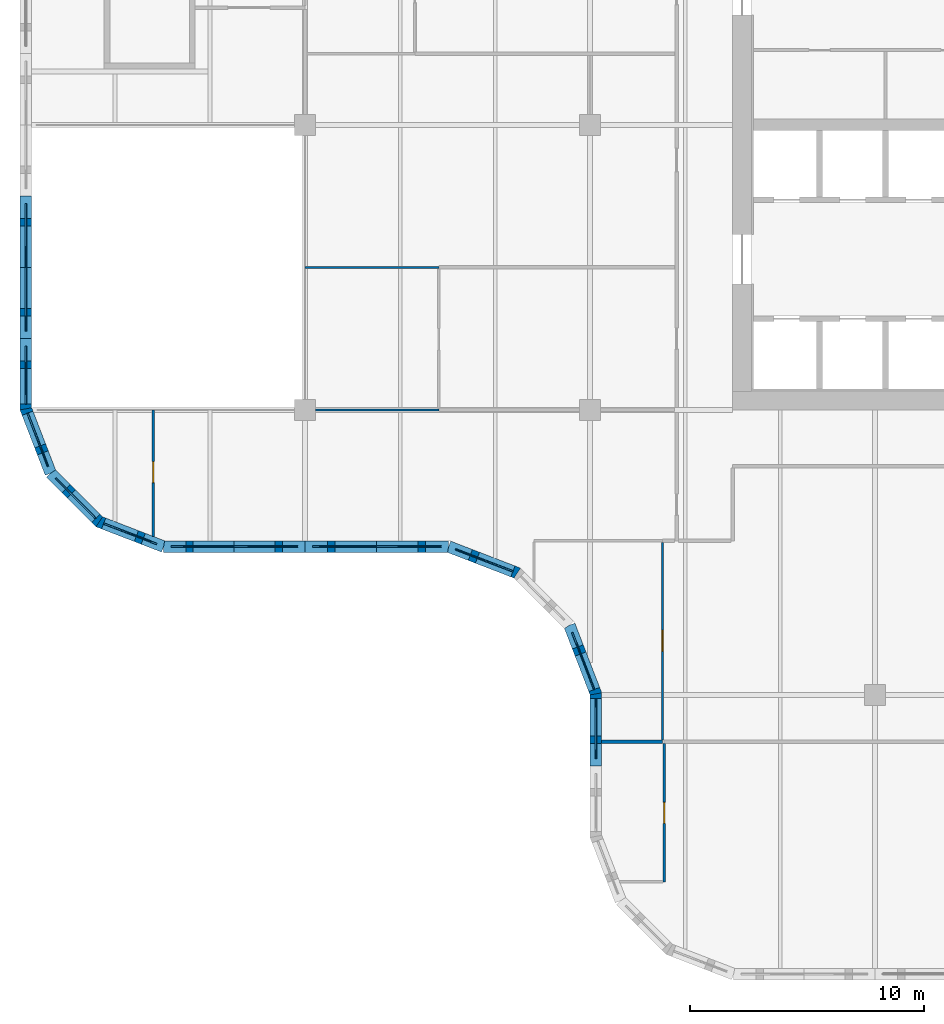
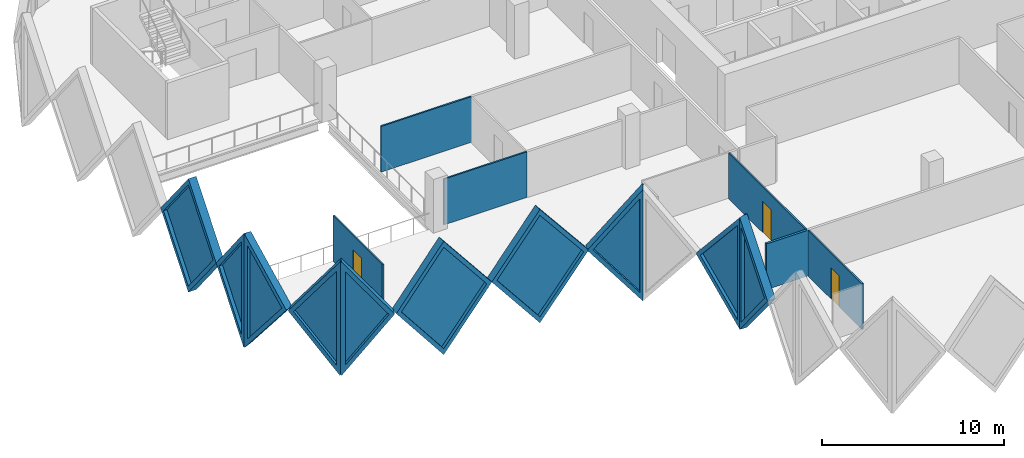
# One storey, part 4 of 19: 16 walls, 10 plates, 3 doors, 13 openings.
"""IFC4 building model written with IfcOpenShell, lengths in metres."""

from ifc_helpers import new_model, si_unit, direction, frame, frame_2d, origin, place, context, subcontext, project, spatial, polyline, rectangle, outline, extrude, faceted_brep, source, transform, mapped, material, layer, layer_set, type_object, element, fill, save


model = new_model("IFC4")

# Units and contexts
model_context = context("Model", 3, precision=1e-05, world=origin(), true_north=direction((0.0, 1.0)))
body_context = subcontext(model_context, "Body", "Model", "MODEL_VIEW")
ifc_project = project(units=[si_unit("LENGTHUNIT", "METRE"), si_unit("AREAUNIT", "SQUARE_METRE"), si_unit("VOLUMEUNIT", "CUBIC_METRE"), si_unit("PLANEANGLEUNIT", "RADIAN"), si_unit("MASSUNIT", "GRAM", prefix="KILO")], contexts=[model_context])

# Site, building, storey
site_placement = place(None, origin())
site = spatial("IfcSite", under=ifc_project, at=site_placement, CompositionType="ELEMENT")
building_placement = place(site_placement, origin())
building = spatial("IfcBuilding", under=site, at=building_placement, Name="Tessera Gate Towers", CompositionType="ELEMENT")
storey_placement = place(building_placement, frame((0.0, 0.0, 87.60009765625)))
storey = spatial("IfcBuildingStorey", under=building, at=storey_placement, Name="L21", CompositionType="ELEMENT", Elevation=87.60009765625)

# Wall, opening, door
ifc_material_1 = material(Name="Glass", Category="glass")
ifc_layer_1 = layer(ifc_material_1, 0.10009765625)
ifc_layer_set_1 = layer_set([ifc_layer_1], Name="GLAZED PARTITION 100")
wall_type_1 = type_object("IfcWallType", Name="GLAZED PARTITION 100", PredefinedType="PARTITIONING", material=ifc_layer_set_1)
wall_1_placement = place(storey_placement, frame((27.574951171875, 4.199951171875, 0.0), z_axis=(0.0, 0.0, 1.0), x_axis=(0.0, 1.0, 0.0)))
wall_1 = element("IfcWall", 1, at=wall_1_placement, inside=storey, type_object=wall_type_1, Name="T1-L21-PW-004", PredefinedType="PARTITIONING", context=body_context, shape_type="SweptSolid", body=[
    extrude(rectangle(XDim=5.924072265625, YDim=0.10009765625, at=frame_2d((2.9619140625, 0.0))), origin(), (0.0, 0.0, 1.0), 3.06689453125),
])
shared_shape_1 = source(origin(), body_context, "Body", "SweptSolid", [
    extrude(rectangle(XDim=0.89990234375, YDim=2.10009765625, at=frame_2d((0.449951171875, 1.050048828125))), frame((0.0, 0.06005859375, 0.0), z_axis=(0.0, -1.0, 0.0), x_axis=(1.0, 0.0, 0.0)), (0.0, 0.0, 1.0), 0.1201171875),
])
opening_1_placement = place(wall_1_placement, frame((2.5, 0.0, 0.0)))
opening_1 = element("IfcOpeningElement", 2, at=opening_1_placement, cuts=wall_1, Name="Opening D690-A07-07", PredefinedType="OPENING", context=body_context, shape_type="MappedRepresentation", body=[
    mapped(shared_shape_1, transform((0.0, 0.0, 0.0), scale=1.0)),
])
ifc_material_2 = material(Name="Glass in aluminium frame", Category="aluminium")
door_type = type_object("IfcDoorType", Name="GLAZED DOOR 900 NOT RATED", OperationType="NOTDEFINED", PredefinedType="DOOR", material=ifc_material_2)
shared_shape_2 = source(origin(), body_context, "Body", "SweptSolid", [
    extrude(rectangle(XDim=0.89990234375, YDim=2.10009765625, at=frame_2d((0.449951171875, 1.050048828125))), frame((0.0, 0.02490234375, 0.0), z_axis=(0.0, -1.0, 0.0), x_axis=(1.0, 0.0, 0.0)), (0.0, 0.0, 1.0), 0.050048828125),
])
door_1_placement = place(opening_1_placement, origin())
door_1 = element("IfcDoor", 3, at=door_1_placement, inside=storey, type_object=door_type, Name="T1-L21-PD-017", OperationType="SINGLE_SWING_LEFT", OverallHeight=2.10009765625, OverallWidth=0.89990234375, PredefinedType="DOOR", context=body_context, shape_type="MappedRepresentation", body=[
    mapped(shared_shape_2, transform((0.0, 0.0, 0.0), scale=1.0)),
])
fill(opening_1, door_1)

wall_2_placement = place(storey_placement, frame((27.5, 10.27587890625, 0.0), z_axis=(0.0, 0.0, 1.0), x_axis=(0.0, 1.0, 0.0)))
wall_2 = element("IfcWall", 4, at=wall_2_placement, inside=storey, type_object=wall_type_1, Name="T1-L21-PW-010", PredefinedType="PARTITIONING", context=body_context, shape_type="SweptSolid", body=[
    extrude(rectangle(XDim=8.4482421875, YDim=0.10009765625, at=frame_2d((4.22412109375, 0.0))), origin(), (0.0, 0.0, 1.0), 3.06689453125),
])
opening_2_placement = place(wall_2_placement, frame((3.800048828125, 0.0, 0.0)))
opening_2 = element("IfcOpeningElement", 5, at=opening_2_placement, cuts=wall_2, Name="Opening D690-A07-08", PredefinedType="OPENING", context=body_context, shape_type="MappedRepresentation", body=[
    mapped(shared_shape_1, transform((0.0, 0.0, 0.0), scale=1.0)),
])
door_2_placement = place(opening_2_placement, origin())
door_2 = element("IfcDoor", 6, at=door_2_placement, inside=storey, type_object=door_type, Name="T1-L21-PD-019", OperationType="SINGLE_SWING_LEFT", OverallHeight=2.10009765625, OverallWidth=0.89990234375, PredefinedType="DOOR", context=body_context, shape_type="MappedRepresentation", body=[
    mapped(shared_shape_2, transform((0.0, 0.0, 0.0), scale=1.0)),
])
fill(opening_2, door_2)

wall_3_placement = place(storey_placement, frame((5.699951171875, 18.990234375, 0.0), z_axis=(0.0, 0.0, 1.0), x_axis=(0.0, 1.0, 0.0)))
wall_3 = element("IfcWall", 7, at=wall_3_placement, inside=storey, type_object=wall_type_1, Name="T1-L21-PW-021", PredefinedType="PARTITIONING", context=body_context, shape_type="SweptSolid", body=[
    extrude(rectangle(XDim=5.40966796875, YDim=0.10009765625, at=frame_2d((2.704833984375, 0.0))), origin(), (0.0, 0.0, 1.0), 3.06689453125),
])
opening_3_placement = place(wall_3_placement, frame((2.300048828125, 0.0, 0.0)))
opening_3 = element("IfcOpeningElement", 8, at=opening_3_placement, cuts=wall_3, Name="Opening D690-A07-02", PredefinedType="OPENING", context=body_context, shape_type="MappedRepresentation", body=[
    mapped(shared_shape_1, transform((0.0, 0.0, 0.0), scale=1.0)),
])
door_3_placement = place(opening_3_placement, origin())
door_3 = element("IfcDoor", 9, at=door_3_placement, inside=storey, type_object=door_type, Name="T1-L21-PD-006", OperationType="SINGLE_SWING_LEFT", OverallHeight=2.10009765625, OverallWidth=0.89990234375, PredefinedType="DOOR", context=body_context, shape_type="MappedRepresentation", body=[
    mapped(shared_shape_2, transform((0.0, 0.0, 0.0), scale=1.0)),
])
fill(opening_3, door_3)

# Walls
wall_4_placement = place(storey_placement, frame((12.65087890625, 24.39990234375, 0.0), z_axis=(0.0, 0.0, 1.0), x_axis=(1.0, 0.0, 0.0)))
element("IfcWall", 10, at=wall_4_placement, inside=storey, type_object=wall_type_1, Name="T1-L21-PW-026", PredefinedType="PARTITIONING", context=body_context, shape_type="SweptSolid", body=[
    extrude(rectangle(XDim=5.273193359375, YDim=0.10009765625, at=frame_2d((2.63671875, 0.0))), origin(), (0.0, 0.0, 1.0), 3.06689453125),
])
wall_5_placement = place(storey_placement, frame((12.199951171875, 30.5, 0.0), z_axis=(0.0, 0.0, 1.0), x_axis=(1.0, 0.0, 0.0)))
element("IfcWall", 11, at=wall_5_placement, inside=storey, type_object=wall_type_1, Name="T1-L21-PW-030", PredefinedType="PARTITIONING", context=body_context, shape_type="SweptSolid", body=[
    extrude(rectangle(XDim=5.72412109375, YDim=0.10009765625, at=frame_2d((2.862060546875, 0.0))), origin(), (0.0, 0.0, 1.0), 3.06689453125),
])
ifc_material_3 = material(Name="Gypsum board on steel studs, mineral wool", Category="steel")
ifc_layer_2 = layer(ifc_material_3, 0.14990234375)
ifc_layer_set_2 = layer_set([ifc_layer_2], Name="TENANCY WALL 150")
wall_type_2 = type_object("IfcWallType", Name="TENANCY WALL 150", PredefinedType="PARTITIONING", material=ifc_layer_set_2)
wall_6_placement = place(storey_placement, frame((24.89990234375, 10.199951171875, 0.0), z_axis=(0.0, 0.0, 1.0), x_axis=(1.0, 0.0, 0.0)))
element("IfcWall", 12, at=wall_6_placement, inside=storey, type_object=wall_type_2, Name="T1-L21-PW-008", PredefinedType="PARTITIONING", context=body_context, shape_type="SweptSolid", body=[
    extrude(rectangle(XDim=2.60009765625, YDim=0.14990234375, at=frame_2d((1.300048828125, 0.0))), origin(), (0.0, 0.0, 1.0), 3.06689453125),
])

# Wall, opening, plate
ifc_material_4 = material(Name="Precast concrete C60/75 white", Category="concrete")
ifc_layer_3 = layer(ifc_material_4, 0.5)
ifc_layer_set_3 = layer_set([ifc_layer_3], Name="TS1 tessera")
wall_type_3 = type_object("IfcWallType", Name="TS1 tessera", PredefinedType="SOLIDWALL", material=ifc_layer_set_3)
shared_shape_3 = source(origin(), body_context, "Body", "Brep", [
    faceted_brep([(3.00341796875, -0.25, 0.0), (6.053466796875, -0.25, 3.800048828125), (3.00341796875, -0.25, 7.599853515625), (0.0, -0.25, 3.800048828125), (0.046630859375, 0.25, 3.85888671875), (3.00341796875, 0.25, 7.599853515625), (6.053466796875, 0.25, 3.800048828125), (3.00341796875, 0.25, 0.0), (0.046630859375, 0.25, 3.7412109375), (0.0, 0.0, 3.800048828125)], [[[0, 1, 2, 3]], [[4, 5, 6, 7, 8]], [[7, 6, 1, 0]], [[6, 5, 2, 1]], [[5, 4, 9, 3, 2]], [[8, 7, 0, 3, 9]], [[8, 9, 4]]]),
])
wall_7_placement = place(storey_placement, frame((6.146484375, 18.550048828125, -3.800048828125), z_axis=(0.0, 0.0, 1.0), x_axis=(1.0, 0.0, 0.0)))
wall_7 = element("IfcWall", 13, at=wall_7_placement, inside=storey, type_object=wall_type_3, Name="Precast tessera T1 TS1-0343", PredefinedType="SOLIDWALL", context=body_context, shape_type="MappedRepresentation", body=[
    mapped(shared_shape_3, transform((0.0, 0.0, 0.0), scale=1.0)),
])
shared_shape_4 = source(origin(), body_context, "Body", "SweptSolid", [
    extrude(outline(polyline([(3.0048828125, 0.401123046875), (5.73291015625, 3.800048828125), (3.0048828125, 7.19873046875), (0.318603515625, 3.800048828125), (3.0048828125, 0.401123046875)])), frame((0.0, 0.260009765625, 0.0), z_axis=(0.0, -1.0, 0.0), x_axis=(1.0, 0.0, 0.0)), (0.0, 0.0, 1.0), 0.52001953125),
])
opening_4_placement = place(wall_7_placement, origin())
opening_4 = element("IfcOpeningElement", 14, at=opening_4_placement, cuts=wall_7, Name="Opening T1-PL2-0695", PredefinedType="OPENING", context=body_context, shape_type="MappedRepresentation", body=[
    mapped(shared_shape_4, transform((0.0, 0.0, 0.0), scale=1.0)),
])
ifc_material_5 = material(Name="Low-e laminated glass", Category="glass")
ifc_layer_4 = layer(ifc_material_5, 0.06005859375)
ifc_layer_set_4 = layer_set([ifc_layer_4], Name="PL2 rhombic pane")
plate_type = type_object("IfcPlateType", Name="PL2 rhombic pane", PredefinedType="SHEET", material=ifc_layer_set_4)
shared_shape_5 = source(origin(), body_context, "Body", "SweptSolid", [
    extrude(outline(polyline([(3.0048828125, 0.401123046875), (5.73291015625, 3.800048828125), (3.0048828125, 7.19873046875), (0.318603515625, 3.800048828125), (3.0048828125, 0.401123046875)])), frame((0.0, 0.030029296875, 0.0), z_axis=(0.0, -1.0, 0.0), x_axis=(1.0, 0.0, 0.0)), (0.0, 0.0, 1.0), 0.06005859375),
])
plate_1_placement = place(opening_4_placement, origin())
plate_1 = element("IfcPlate", 15, at=plate_1_placement, inside=storey, type_object=plate_type, Name="Glass pane T1 PL2-0695", PredefinedType="SHEET", context=body_context, shape_type="MappedRepresentation", body=[
    mapped(shared_shape_5, transform((0.0, 0.0, 0.0), scale=1.0)),
])
fill(opening_4, plate_1)

shared_shape_6 = source(origin(), body_context, "Body", "SweptSolid", [
    extrude(outline(polyline([(3.050048828125, 0.0), (6.10009765625, 3.800048828125), (3.050048828125, 7.599853515625), (0.0, 3.800048828125), (3.050048828125, 0.0)])), frame((0.0, 0.25, 0.0), z_axis=(0.0, -1.0, 0.0), x_axis=(1.0, 0.0, 0.0)), (0.0, 0.0, 1.0), 0.5),
])
wall_8_placement = place(storey_placement, frame((0.25, 33.550048828125, -3.800048828125), z_axis=(0.0, 0.0, 1.0), x_axis=(0.0, -1.0, 0.0)))
wall_8 = element("IfcWall", 16, at=wall_8_placement, inside=storey, type_object=wall_type_3, Name="Precast tessera T1 TS1-0342", PredefinedType="SOLIDWALL", context=body_context, shape_type="MappedRepresentation", body=[
    mapped(shared_shape_6, transform((0.0, 0.0, 0.0), scale=1.0)),
])
shared_shape_7 = source(origin(), body_context, "Body", "SweptSolid", [
    extrude(outline(polyline([(3.050048828125, 0.3994140625), (5.779541015625, 3.800048828125), (3.050048828125, 7.200439453125), (0.320556640625, 3.800048828125), (3.050048828125, 0.3994140625)])), frame((0.0, 0.260009765625, 0.0), z_axis=(0.0, -1.0, 0.0), x_axis=(1.0, 0.0, 0.0)), (0.0, 0.0, 1.0), 0.52001953125),
])
opening_5_placement = place(wall_8_placement, origin())
opening_5 = element("IfcOpeningElement", 17, at=opening_5_placement, cuts=wall_8, Name="Opening T1-PL2-0690", PredefinedType="OPENING", context=body_context, shape_type="MappedRepresentation", body=[
    mapped(shared_shape_7, transform((0.0, 0.0, 0.0), scale=1.0)),
])
shared_shape_8 = source(origin(), body_context, "Body", "SweptSolid", [
    extrude(outline(polyline([(3.050048828125, 0.3994140625), (5.779541015625, 3.800048828125), (3.050048828125, 7.200439453125), (0.320556640625, 3.800048828125), (3.050048828125, 0.3994140625)])), frame((0.0, 0.030029296875, 0.0), z_axis=(0.0, -1.0, 0.0), x_axis=(1.0, 0.0, 0.0)), (0.0, 0.0, 1.0), 0.06005859375),
])
plate_2_placement = place(opening_5_placement, origin())
plate_2 = element("IfcPlate", 18, at=plate_2_placement, inside=storey, type_object=plate_type, Name="Glass pane T1 PL2-0690", PredefinedType="SHEET", context=body_context, shape_type="MappedRepresentation", body=[
    mapped(shared_shape_8, transform((0.0, 0.0, 0.0), scale=1.0)),
])
fill(opening_5, plate_2)

ifc_material_6 = material(Name="Precast concrete C60/75 white", Category="concrete")
ifc_layer_5 = layer(ifc_material_6, 0.5)
ifc_layer_set_5 = layer_set([ifc_layer_5], Name="TS3 corner tessera")
wall_type_4 = type_object("IfcWallType", Name="TS3 corner tessera", PredefinedType="SOLIDWALL", material=ifc_layer_set_5)
shared_shape_9 = source(origin(), body_context, "Body", "Brep", [
    faceted_brep([(3.00341796875, -0.25, 0.0), (3.050048828125, -0.25, 0.06005859375), (3.050048828125, -0.25, 7.539794921875), (3.00341796875, -0.25, 7.599853515625), (0.0, -0.25, 3.800048828125), (0.0, 0.25, 3.800048828125), (2.956787109375, 0.25, 7.541015625), (2.956787109375, 0.25, 0.058837890625), (3.00341796875, 0.000244140625, 0.0), (3.00341796875, 0.000244140625, 7.599853515625)], [[[0, 1, 2, 3, 4]], [[5, 6, 7]], [[1, 0, 8]], [[9, 3, 2]], [[6, 5, 4, 3, 9]], [[5, 7, 8, 0, 4]], [[1, 8, 7, 6, 9, 2]]]),
])
wall_9_placement = place(storey_placement, frame((0.25, 27.449951171875, -3.800048828125), z_axis=(0.0, 0.0, 1.0), x_axis=(0.0, -1.0, 0.0)))
wall_9 = element("IfcWall", 19, at=wall_9_placement, inside=storey, type_object=wall_type_4, Name="Precast corner tessera T1 TS3-0469", PredefinedType="SOLIDWALL", context=body_context, shape_type="MappedRepresentation", body=[
    mapped(shared_shape_9, transform((0.0, 0.0, 0.0), scale=1.0)),
])
shared_shape_10 = source(origin(), body_context, "Body", "SweptSolid", [
    extrude(outline(polyline([(2.803466796875, 6.94384765625), (0.318603515625, 3.800048828125), (2.803466796875, 0.65625), (2.803466796875, 6.94384765625)])), frame((0.0, 0.260009765625, 0.0), z_axis=(0.0, -1.0, 0.0), x_axis=(1.0, 0.0, 0.0)), (0.0, 0.0, 1.0), 0.52001953125),
])
opening_6_placement = place(wall_9_placement, origin())
opening_6 = element("IfcOpeningElement", 20, at=opening_6_placement, cuts=wall_9, Name="Opening T1-PL2-0691", PredefinedType="OPENING", context=body_context, shape_type="MappedRepresentation", body=[
    mapped(shared_shape_10, transform((0.0, 0.0, 0.0), scale=1.0)),
])
shared_shape_11 = source(origin(), body_context, "Body", "SweptSolid", [
    extrude(outline(polyline([(2.803466796875, 6.94384765625), (0.318603515625, 3.800048828125), (2.803466796875, 0.65625), (2.803466796875, 6.94384765625)])), frame((0.0, 0.030029296875, 0.0), z_axis=(0.0, -1.0, 0.0), x_axis=(1.0, 0.0, 0.0)), (0.0, 0.0, 1.0), 0.06005859375),
])
plate_3_placement = place(opening_6_placement, origin())
plate_3 = element("IfcPlate", 21, at=plate_3_placement, inside=storey, type_object=plate_type, Name="Glass pane T1 PL2-0691", PredefinedType="SHEET", context=body_context, shape_type="MappedRepresentation", body=[
    mapped(shared_shape_11, transform((0.0, 0.0, 0.0), scale=1.0)),
])
fill(opening_6, plate_3)

shared_shape_12 = source(origin(), body_context, "Body", "Brep", [
    faceted_brep([(0.046630859375, -0.25, 0.0), (2.9970703125, -0.25, 3.800048828125), (0.046630859375, -0.25, 7.599853515625), (0.0, -0.25, 7.541015625), (0.0, -0.25, 0.058837890625), (0.09326171875, 0.25, 7.539794921875), (2.9443359375, 0.25, 3.8681640625), (2.9443359375, 0.25, 3.73193359375), (0.09326171875, 0.25, 0.06005859375), (2.9970703125, 0.00048828125, 3.800048828125), (0.046630859375, 0.0, 0.0), (0.046630859375, 0.0, 7.599853515625)], [[[0, 1, 2, 3, 4]], [[5, 6, 7, 8]], [[8, 7, 9, 1, 0, 10]], [[6, 5, 11, 2, 1, 9]], [[3, 2, 11]], [[10, 0, 4]], [[8, 10, 4, 3, 11, 5]], [[7, 6, 9]]]),
])
wall_10_placement = place(storey_placement, frame((0.233154296875, 24.489990234375, -3.800048828125), z_axis=(0.0, 0.0, 1.0), x_axis=(0.359901446078, -0.932990326376, 0.0)))
wall_10 = element("IfcWall", 22, at=wall_10_placement, inside=storey, type_object=wall_type_4, Name="Precast corner tessera T1 TS3-0470", PredefinedType="SOLIDWALL", context=body_context, shape_type="MappedRepresentation", body=[
    mapped(shared_shape_12, transform((0.0, 0.0, 0.0), scale=1.0)),
])
shared_shape_13 = source(origin(), body_context, "Body", "SweptSolid", [
    extrude(outline(polyline([(0.24658203125, 0.665283203125), (2.6806640625, 3.800048828125), (0.24658203125, 6.934814453125), (0.24658203125, 0.665283203125)])), frame((0.0, 0.260009765625, 0.0), z_axis=(0.0, -1.0, 0.0), x_axis=(1.0, 0.0, 0.0)), (0.0, 0.0, 1.0), 0.52001953125),
])
opening_7_placement = place(wall_10_placement, origin())
opening_7 = element("IfcOpeningElement", 23, at=opening_7_placement, cuts=wall_10, Name="Opening T1-PL2-0692", PredefinedType="OPENING", context=body_context, shape_type="MappedRepresentation", body=[
    mapped(shared_shape_13, transform((0.0, 0.0, 0.0), scale=1.0)),
])
shared_shape_14 = source(origin(), body_context, "Body", "SweptSolid", [
    extrude(outline(polyline([(0.24658203125, 0.665283203125), (2.6806640625, 3.800048828125), (0.24658203125, 6.934814453125), (0.24658203125, 0.665283203125)])), frame((0.0, 0.030029296875, 0.0), z_axis=(0.0, -1.0, 0.0), x_axis=(1.0, 0.0, 0.0)), (0.0, 0.0, 1.0), 0.06005859375),
])
plate_4_placement = place(opening_7_placement, origin())
plate_4 = element("IfcPlate", 24, at=plate_4_placement, inside=storey, type_object=plate_type, Name="Glass pane T1 PL2-0692", PredefinedType="SHEET", context=body_context, shape_type="MappedRepresentation", body=[
    mapped(shared_shape_14, transform((0.0, 0.0, 0.0), scale=1.0)),
])
fill(opening_7, plate_4)

shared_shape_15 = source(origin(), body_context, "Body", "Brep", [
    faceted_brep([(0.052978515625, -0.25, 0.0), (3.00341796875, -0.25, 3.800048828125), (0.052978515625, -0.25, 7.599853515625), (0.0, -0.25, 7.531494140625), (0.0, -0.25, 0.068359375), (0.10595703125, 0.25, 7.53173828125), (2.95703125, 0.25, 3.85986328125), (2.95703125, 0.25, 3.740234375), (0.10595703125, 0.25, 0.068115234375), (3.00341796875, 0.00048828125, 3.800048828125), (0.052978515625, 0.0, 0.0), (0.052978515625, 0.0, 7.599853515625)], [[[0, 1, 2, 3, 4]], [[5, 6, 7, 8]], [[8, 7, 9, 1, 0, 10]], [[6, 5, 11, 2, 1, 9]], [[3, 2, 11]], [[10, 0, 4]], [[8, 10, 4, 3, 11, 5]], [[7, 6, 9]]]),
])
wall_11_placement = place(storey_placement, frame((3.34423828125, 19.630859375, -3.800048828125), z_axis=(0.0, 0.0, 1.0), x_axis=(0.933007896601, -0.359855894603, 0.0)))
wall_11 = element("IfcWall", 25, at=wall_11_placement, inside=storey, type_object=wall_type_4, Name="Precast corner tessera T1 TS3-0472", PredefinedType="SOLIDWALL", context=body_context, shape_type="MappedRepresentation", body=[
    mapped(shared_shape_15, transform((0.0, 0.0, 0.0), scale=1.0)),
])
shared_shape_16 = source(origin(), body_context, "Body", "SweptSolid", [
    extrude(outline(polyline([(0.2529296875, 0.665283203125), (2.68701171875, 3.800048828125), (0.2529296875, 6.934814453125), (0.2529296875, 0.665283203125)])), frame((0.0, 0.260009765625, 0.0), z_axis=(0.0, -1.0, 0.0), x_axis=(1.0, 0.0, 0.0)), (0.0, 0.0, 1.0), 0.52001953125),
])
opening_8_placement = place(wall_11_placement, origin())
opening_8 = element("IfcOpeningElement", 26, at=opening_8_placement, cuts=wall_11, Name="Opening T1-PL2-0694", PredefinedType="OPENING", context=body_context, shape_type="MappedRepresentation", body=[
    mapped(shared_shape_16, transform((0.0, 0.0, 0.0), scale=1.0)),
])
shared_shape_17 = source(origin(), body_context, "Body", "SweptSolid", [
    extrude(outline(polyline([(0.2529296875, 0.665283203125), (2.68701171875, 3.800048828125), (0.2529296875, 6.934814453125), (0.2529296875, 0.665283203125)])), frame((0.0, 0.030029296875, 0.0), z_axis=(0.0, -1.0, 0.0), x_axis=(1.0, 0.0, 0.0)), (0.0, 0.0, 1.0), 0.06005859375),
])
plate_5_placement = place(opening_8_placement, origin())
plate_5 = element("IfcPlate", 27, at=plate_5_placement, inside=storey, type_object=plate_type, Name="Glass pane T1 PL2-0694", PredefinedType="SHEET", context=body_context, shape_type="MappedRepresentation", body=[
    mapped(shared_shape_17, transform((0.0, 0.0, 0.0), scale=1.0)),
])
fill(opening_8, plate_5)

shared_shape_18 = source(origin(), body_context, "Body", "Brep", [
    faceted_brep([(2.944091796875, -0.25, 0.0), (2.9970703125, -0.25, 0.068115234375), (2.9970703125, -0.25, 7.53173828125), (2.944091796875, -0.25, 7.599853515625), (0.0, -0.25, 3.800048828125), (0.052978515625, 0.25, 3.868408203125), (2.89111328125, 0.25, 7.53173828125), (2.89111328125, 0.25, 0.068115234375), (0.052978515625, 0.25, 3.731689453125), (2.944091796875, 0.000244140625, 0.0), (2.944091796875, 0.000244140625, 7.599853515625), (0.0, 0.0, 3.800048828125)], [[[0, 1, 2, 3, 4]], [[5, 6, 7, 8]], [[1, 0, 9]], [[10, 3, 2]], [[6, 5, 11, 4, 3, 10]], [[8, 7, 9, 0, 4, 11]], [[8, 11, 5]], [[1, 9, 7, 6, 10, 2]]]),
])
wall_12_placement = place(storey_placement, frame((1.31201171875, 21.69384765625, -3.800048828125), z_axis=(0.0, 0.0, 1.0), x_axis=(0.707066050402, -0.707147509625, 0.0)))
wall_12 = element("IfcWall", 28, at=wall_12_placement, inside=storey, type_object=wall_type_4, Name="Precast corner tessera T1 TS3-0471", PredefinedType="SOLIDWALL", context=body_context, shape_type="MappedRepresentation", body=[
    mapped(shared_shape_18, transform((0.0, 0.0, 0.0), scale=1.0)),
])
shared_shape_19 = source(origin(), body_context, "Body", "SweptSolid", [
    extrude(outline(polyline([(2.744140625, 6.93359375), (0.316162109375, 3.800048828125), (2.744140625, 0.666259765625), (2.744140625, 6.93359375)])), frame((0.0, 0.260009765625, 0.0), z_axis=(0.0, -1.0, 0.0), x_axis=(1.0, 0.0, 0.0)), (0.0, 0.0, 1.0), 0.52001953125),
])
opening_9_placement = place(wall_12_placement, origin())
opening_9 = element("IfcOpeningElement", 29, at=opening_9_placement, cuts=wall_12, Name="Opening T1-PL2-0693", PredefinedType="OPENING", context=body_context, shape_type="MappedRepresentation", body=[
    mapped(shared_shape_19, transform((0.0, 0.0, 0.0), scale=1.0)),
])
shared_shape_20 = source(origin(), body_context, "Body", "SweptSolid", [
    extrude(outline(polyline([(2.744140625, 6.93359375), (0.316162109375, 3.800048828125), (2.744140625, 0.666259765625), (2.744140625, 6.93359375)])), frame((0.0, 0.030029296875, 0.0), z_axis=(0.0, -1.0, 0.0), x_axis=(1.0, 0.0, 0.0)), (0.0, 0.0, 1.0), 0.06005859375),
])
plate_6_placement = place(opening_9_placement, origin())
plate_6 = element("IfcPlate", 30, at=plate_6_placement, inside=storey, type_object=plate_type, Name="Glass pane T1 PL2-0693", PredefinedType="SHEET", context=body_context, shape_type="MappedRepresentation", body=[
    mapped(shared_shape_20, transform((0.0, 0.0, 0.0), scale=1.0)),
])
fill(opening_9, plate_6)

shared_shape_21 = source(origin(), body_context, "Body", "Brep", [
    faceted_brep([(3.050048828125, -0.25, 0.0), (6.10009765625, -0.25, 3.742919921875), (6.10009765625, -0.25, 3.857177734375), (3.050048828125, -0.25, 7.599853515625), (0.0, -0.25, 3.800048828125), (0.0, 0.25, 3.800048828125), (3.050048828125, 0.25, 7.599853515625), (6.146484375, 0.25, 3.800048828125), (3.050048828125, 0.25, 0.0), (6.146484375, -0.000244140625, 3.800048828125)], [[[0, 1, 2, 3, 4]], [[5, 6, 7, 8]], [[8, 7, 9, 1, 0]], [[7, 6, 3, 2, 9]], [[6, 5, 4, 3]], [[5, 8, 0, 4]], [[1, 9, 2]]]),
])
wall_13_placement = place(storey_placement, frame((12.199951171875, 18.550048828125, -3.800048828125), z_axis=(0.0, 0.0, 1.0), x_axis=(1.0, 0.0, 0.0)))
wall_13 = element("IfcWall", 31, at=wall_13_placement, inside=storey, type_object=wall_type_3, Name="Precast tessera T1 TS1-0344", PredefinedType="SOLIDWALL", context=body_context, shape_type="MappedRepresentation", body=[
    mapped(shared_shape_21, transform((0.0, 0.0, 0.0), scale=1.0)),
])
shared_shape_22 = source(origin(), body_context, "Body", "SweptSolid", [
    extrude(outline(polyline([(3.051513671875, 0.3974609375), (5.823974609375, 3.800048828125), (3.051513671875, 7.202392578125), (0.320556640625, 3.800048828125), (3.051513671875, 0.3974609375)])), frame((0.0, 0.260009765625, 0.0), z_axis=(0.0, -1.0, 0.0), x_axis=(1.0, 0.0, 0.0)), (0.0, 0.0, 1.0), 0.52001953125),
])
opening_10_placement = place(wall_13_placement, origin())
opening_10 = element("IfcOpeningElement", 32, at=opening_10_placement, cuts=wall_13, Name="Opening T1-PL2-0696", PredefinedType="OPENING", context=body_context, shape_type="MappedRepresentation", body=[
    mapped(shared_shape_22, transform((0.0, 0.0, 0.0), scale=1.0)),
])
shared_shape_23 = source(origin(), body_context, "Body", "SweptSolid", [
    extrude(outline(polyline([(3.051513671875, 0.3974609375), (5.823974609375, 3.800048828125), (3.051513671875, 7.202392578125), (0.320556640625, 3.800048828125), (3.051513671875, 0.3974609375)])), frame((0.0, 0.030029296875, 0.0), z_axis=(0.0, -1.0, 0.0), x_axis=(1.0, 0.0, 0.0)), (0.0, 0.0, 1.0), 0.06005859375),
])
plate_7_placement = place(opening_10_placement, origin())
plate_7 = element("IfcPlate", 33, at=plate_7_placement, inside=storey, type_object=plate_type, Name="Glass pane T1 PL2-0696", PredefinedType="SHEET", context=body_context, shape_type="MappedRepresentation", body=[
    mapped(shared_shape_23, transform((0.0, 0.0, 0.0), scale=1.0)),
])
fill(opening_10, plate_7)

shared_shape_24 = source(origin(), body_context, "Body", "Brep", [
    faceted_brep([(3.096435546875, -0.25, 7.5361328125), (0.046630859375, -0.25, 3.856201171875), (0.046630859375, -0.25, 3.743896484375), (3.096435546875, -0.25, 0.063720703125), (0.0, 0.25, 3.800048828125), (3.1494140625, 0.25, 7.599853515625), (3.202392578125, 0.25, 7.5361328125), (3.202392578125, 0.25, 0.063720703125), (3.1494140625, 0.25, 0.0), (3.1494140625, -0.000244140625, 0.0), (3.1494140625, -0.000244140625, 7.599853515625), (0.0, 0.0, 3.800048828125)], [[[0, 1, 2, 3]], [[4, 5, 6, 7, 8]], [[8, 7, 9]], [[6, 5, 10]], [[5, 4, 11, 1, 0, 10]], [[4, 8, 9, 3, 2, 11]], [[2, 1, 11]], [[3, 9, 7, 6, 10, 0]]]),
])
wall_14_placement = place(storey_placement, frame((18.346435546875, 18.550048828125, -3.800048828125), z_axis=(0.0, 0.0, 1.0), x_axis=(0.932985567668, -0.359913782069, 0.0)))
wall_14 = element("IfcWall", 34, at=wall_14_placement, inside=storey, type_object=wall_type_4, Name="Precast corner tessera T1 TS3-0473", PredefinedType="SOLIDWALL", context=body_context, shape_type="MappedRepresentation", body=[
    mapped(shared_shape_24, transform((0.0, 0.0, 0.0), scale=1.0)),
])
shared_shape_25 = source(origin(), body_context, "Body", "SweptSolid", [
    extrude(outline(polyline([(2.949462890625, 6.966796875), (0.32470703125, 3.800048828125), (2.949462890625, 0.633056640625), (2.949462890625, 6.966796875)])), frame((0.0, 0.260009765625, 0.0), z_axis=(0.0, -1.0, 0.0), x_axis=(1.0, 0.0, 0.0)), (0.0, 0.0, 1.0), 0.52001953125),
])
opening_11_placement = place(wall_14_placement, origin())
opening_11 = element("IfcOpeningElement", 35, at=opening_11_placement, cuts=wall_14, Name="Opening T1-PL2-0697", PredefinedType="OPENING", context=body_context, shape_type="MappedRepresentation", body=[
    mapped(shared_shape_25, transform((0.0, 0.0, 0.0), scale=1.0)),
])
shared_shape_26 = source(origin(), body_context, "Body", "SweptSolid", [
    extrude(outline(polyline([(2.949462890625, 6.966796875), (0.32470703125, 3.800048828125), (2.949462890625, 0.633056640625), (2.949462890625, 6.966796875)])), frame((0.0, 0.030029296875, 0.0), z_axis=(0.0, -1.0, 0.0), x_axis=(1.0, 0.0, 0.0)), (0.0, 0.0, 1.0), 0.06005859375),
])
plate_8_placement = place(opening_11_placement, origin())
plate_8 = element("IfcPlate", 36, at=plate_8_placement, inside=storey, type_object=plate_type, Name="Glass pane T1 PL2-0697", PredefinedType="SHEET", context=body_context, shape_type="MappedRepresentation", body=[
    mapped(shared_shape_26, transform((0.0, 0.0, 0.0), scale=1.0)),
])
fill(opening_11, plate_8)

shared_shape_27 = source(origin(), body_context, "Body", "Brep", [
    faceted_brep([(3.10302734375, -0.25, 7.543701171875), (0.052978515625, -0.25, 3.864013671875), (0.052978515625, -0.25, 3.736083984375), (3.10302734375, -0.25, 0.05615234375), (0.0, 0.25, 3.800048828125), (3.1494140625, 0.25, 7.599853515625), (3.196044921875, 0.25, 7.542724609375), (3.196044921875, 0.25, 0.05712890625), (3.1494140625, 0.25, 0.0), (3.1494140625, -0.000244140625, 0.0), (3.1494140625, -0.000244140625, 7.599853515625), (0.0, 0.0, 3.800048828125)], [[[0, 1, 2, 3]], [[4, 5, 6, 7, 8]], [[8, 7, 9]], [[6, 5, 10]], [[5, 4, 11, 1, 0, 10]], [[4, 8, 9, 3, 2, 11]], [[2, 1, 11]], [[3, 9, 7, 6, 10, 0]]]),
])
wall_15_placement = place(storey_placement, frame((23.5166015625, 15.18505859375, -3.800048828125), z_axis=(0.0, 0.0, 1.0), x_axis=(0.359864468756, -0.933004589553, 0.0)))
wall_15 = element("IfcWall", 37, at=wall_15_placement, inside=storey, type_object=wall_type_4, Name="Precast corner tessera T1 TS3-0475", PredefinedType="SOLIDWALL", context=body_context, shape_type="MappedRepresentation", body=[
    mapped(shared_shape_27, transform((0.0, 0.0, 0.0), scale=1.0)),
])
opening_12_placement = place(wall_15_placement, origin())
opening_12 = element("IfcOpeningElement", 38, at=opening_12_placement, cuts=wall_15, Name="Opening T1-PL2-0699", PredefinedType="OPENING", context=body_context, shape_type="MappedRepresentation", body=[
    mapped(shared_shape_25, transform((0.0, 0.0, 0.0), scale=1.0)),
])
plate_9_placement = place(opening_12_placement, origin())
plate_9 = element("IfcPlate", 39, at=plate_9_placement, inside=storey, type_object=plate_type, Name="Glass pane T1 PL2-0699", PredefinedType="SHEET", context=body_context, shape_type="MappedRepresentation", body=[
    mapped(shared_shape_26, transform((0.0, 0.0, 0.0), scale=1.0)),
])
fill(opening_12, plate_9)

shared_shape_28 = source(origin(), body_context, "Body", "Brep", [
    faceted_brep([(0.09326171875, -0.25, 0.05712890625), (3.14306640625, -0.25, 3.800048828125), (0.09326171875, -0.25, 7.542724609375), (0.0, 0.25, 7.543701171875), (0.046630859375, 0.25, 7.599853515625), (3.14306640625, 0.25, 3.800048828125), (0.046630859375, 0.25, 0.0), (0.0, 0.25, 0.05615234375), (0.046630859375, 0.0, 0.0), (0.046630859375, 0.0, 7.599853515625)], [[[0, 1, 2]], [[3, 4, 5, 6, 7]], [[6, 5, 1, 0, 8]], [[5, 4, 9, 2, 1]], [[4, 3, 9]], [[7, 6, 8]], [[7, 8, 0, 2, 9, 3]]]),
])
wall_16_placement = place(storey_placement, frame((24.64990234375, 12.293212890625, -3.800048828125), z_axis=(0.0, 0.0, 1.0), x_axis=(0.0, -1.0, 0.0)))
wall_16 = element("IfcWall", 40, at=wall_16_placement, inside=storey, type_object=wall_type_4, Name="Precast corner tessera T1 TS3-0476", PredefinedType="SOLIDWALL", context=body_context, shape_type="MappedRepresentation", body=[
    mapped(shared_shape_28, transform((0.0, 0.0, 0.0), scale=1.0)),
])
shared_shape_29 = source(origin(), body_context, "Body", "SweptSolid", [
    extrude(outline(polyline([(0.24658203125, 0.64111328125), (2.82080078125, 3.800048828125), (0.24658203125, 6.958740234375), (0.24658203125, 0.64111328125)])), frame((0.0, 0.260009765625, 0.0), z_axis=(0.0, -1.0, 0.0), x_axis=(1.0, 0.0, 0.0)), (0.0, 0.0, 1.0), 0.52001953125),
])
opening_13_placement = place(wall_16_placement, origin())
opening_13 = element("IfcOpeningElement", 41, at=opening_13_placement, cuts=wall_16, Name="Opening T1-PL2-0700", PredefinedType="OPENING", context=body_context, shape_type="MappedRepresentation", body=[
    mapped(shared_shape_29, transform((0.0, 0.0, 0.0), scale=1.0)),
])
shared_shape_30 = source(origin(), body_context, "Body", "SweptSolid", [
    extrude(outline(polyline([(0.24658203125, 0.64111328125), (2.82080078125, 3.800048828125), (0.24658203125, 6.958740234375), (0.24658203125, 0.64111328125)])), frame((0.0, 0.030029296875, 0.0), z_axis=(0.0, -1.0, 0.0), x_axis=(1.0, 0.0, 0.0)), (0.0, 0.0, 1.0), 0.06005859375),
])
plate_10_placement = place(opening_13_placement, origin())
plate_10 = element("IfcPlate", 42, at=plate_10_placement, inside=storey, type_object=plate_type, Name="Glass pane T1 PL2-0700", PredefinedType="SHEET", context=body_context, shape_type="MappedRepresentation", body=[
    mapped(shared_shape_30, transform((0.0, 0.0, 0.0), scale=1.0)),
])
fill(opening_13, plate_10)

save(model, "model.ifc")
